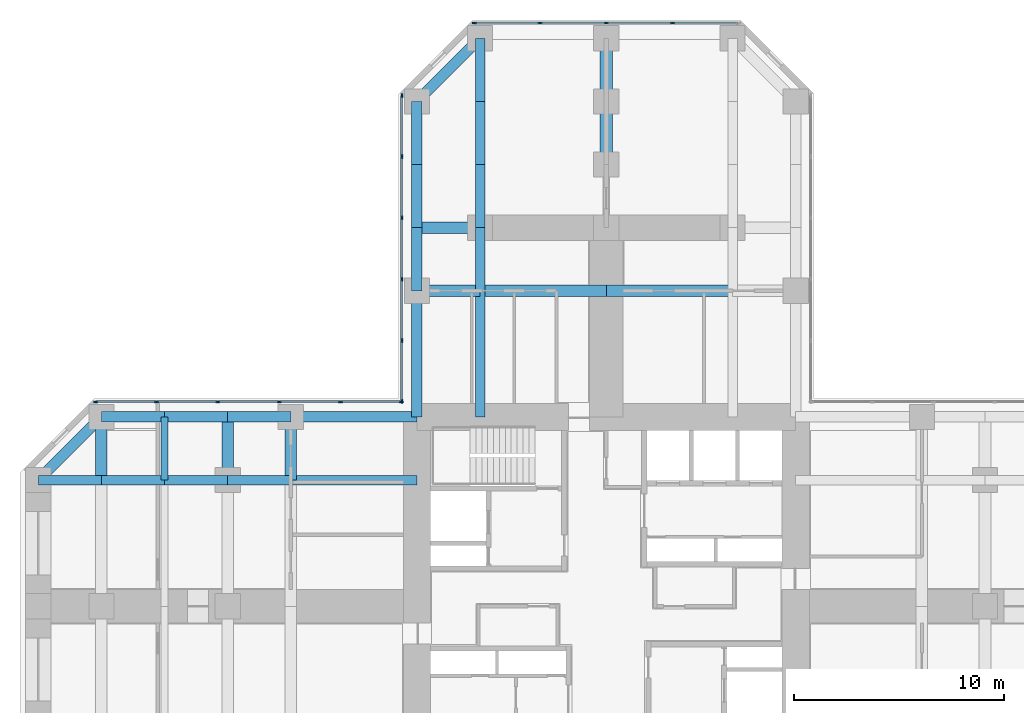
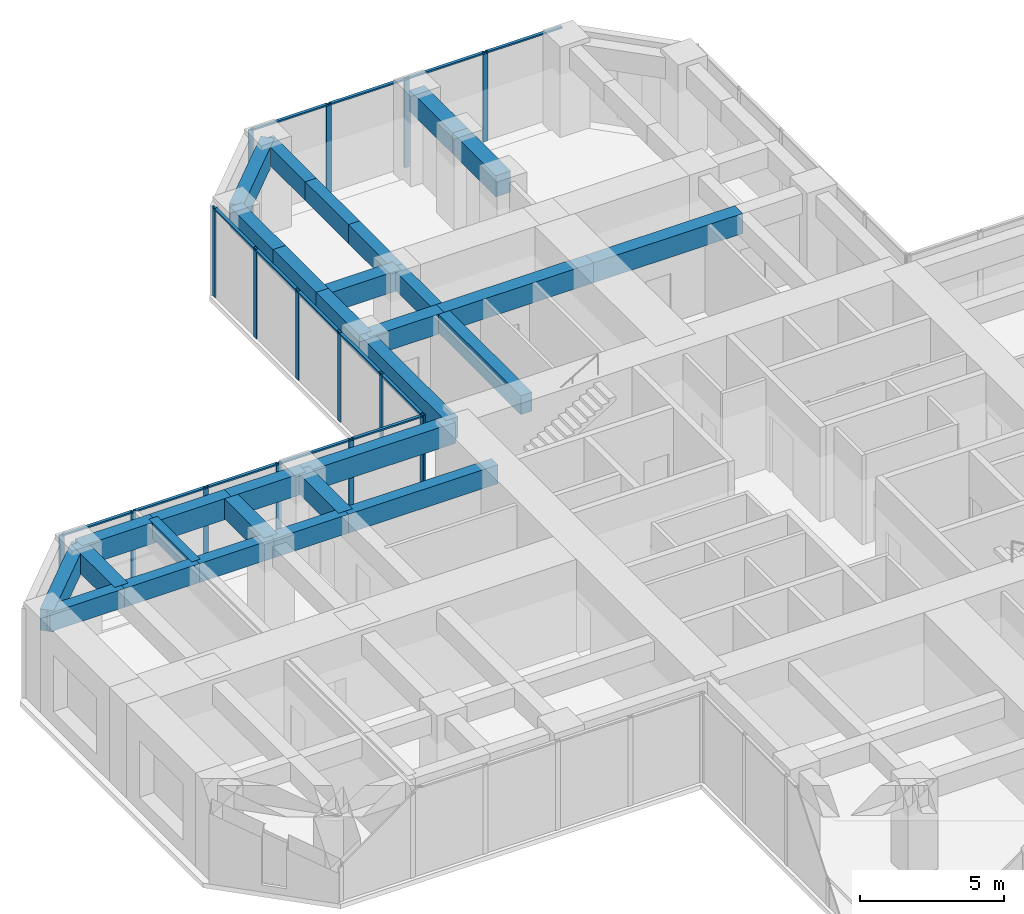
# One storey, part 5 of 13: 30 beams, 30 members, 3 elements without a shape of their own.
"""IFC4 building model written with IfcOpenShell, lengths in metres."""

from ifc_helpers import new_model, si_unit, direction, frame, origin, origin_2d, place, context, subcontext, project, spatial, rectangle, extrude, material, material_profile, profile_set, type_object, element, aggregate, save


model = new_model("IFC4")

# Units and contexts
model_context = context("Model", 3, precision=1e-05, world=origin(), true_north=direction((0.0, 1.0)))
body_context = subcontext(model_context, "Body", "Model", "MODEL_VIEW")
ifc_project = project(units=[si_unit("LENGTHUNIT", "METRE"), si_unit("AREAUNIT", "SQUARE_METRE"), si_unit("VOLUMEUNIT", "CUBIC_METRE"), si_unit("PLANEANGLEUNIT", "RADIAN"), si_unit("MASSUNIT", "GRAM", prefix="KILO")], contexts=[model_context])

# Site, building, storey
site_placement = place(None, origin())
site = spatial("IfcSite", under=ifc_project, at=site_placement, CompositionType="ELEMENT")
building_placement = place(site_placement, origin())
building = spatial("IfcBuilding", under=site, at=building_placement, Name="Torre Cruceta", CompositionType="ELEMENT")
storey_placement = place(building_placement, frame((0.0, 0.0, 31.5)))
storey = spatial("IfcBuildingStorey", under=building, at=storey_placement, Name="L07", CompositionType="ELEMENT", Elevation=31.5)

# Beams
ifc_material_1 = material(Name="Concrete G60 (fck 60 MPa)", Category="concrete")
ifc_material_profile_1 = material_profile(ifc_material_1, rectangle(XDim=0.60009765625, YDim=0.89990234375, at=origin_2d()), Name="RC 600X900")
ifc_profile_set_1 = profile_set([ifc_material_profile_1], Name="Concrete G60 (fck 60 MPa)")
beam_type_1 = type_object("IfcBeamType", Name="ARM CENTRE BEAM RC 600X900", PredefinedType="BEAM", material=ifc_profile_set_1)
for number, where, z_axis, x_axis, name in (
    (1, (0.0, 21.0, 3.35009765625), (0.0, 1.0, 0.0), (-1.0, 0.0, 0.0), "MB3 L07 N centre 1"),
    (2, (0.0, 24.0, 3.35009765625), (0.0, 1.0, 0.0), (-1.0, 0.0, 0.0), "MB3 L07 N centre 2"),
):
    element("IfcBeam", number, at=place(storey_placement, frame(where, z_axis=z_axis, x_axis=x_axis)), inside=storey, type_object=beam_type_1, Name=name, PredefinedType="BEAM", context=body_context, shape_type="SweptSolid", body=[
        extrude(rectangle(XDim=0.60009765625, YDim=0.89990234375, at=origin_2d()), origin(), (0.0, 0.0, 1.0), 3.0),
    ])
ifc_material_2 = material(Name="Concrete G60 (fck 60 MPa)", Category="concrete")
ifc_material_profile_2 = material_profile(ifc_material_2, rectangle(XDim=0.449951171875, YDim=0.800048828125, at=origin_2d()), Name="RC 450X800")
ifc_profile_set_2 = profile_set([ifc_material_profile_2], Name="Concrete G60 (fck 60 MPa)")
beam_type_2 = type_object("IfcBeamType", Name="COLUMN LINE BEAM RC 450X800", PredefinedType="BEAM", material=ifc_profile_set_2)
beam_1_placement = place(storey_placement, frame((-6.0, 9.0, 3.39990234375), z_axis=(0.0, 1.0, 0.0), x_axis=(-1.0, 0.0, 0.0)))
element("IfcBeam", 3, at=beam_1_placement, inside=storey, type_object=beam_type_2, Name="LB1 L07 N col+ 1", PredefinedType="BEAM", context=body_context, shape_type="SweptSolid", body=[
    extrude(rectangle(XDim=0.449951171875, YDim=0.800048828125, at=origin_2d()), origin(), (0.0, 0.0, 1.0), 6.0),
])
for number, where, z_axis, x_axis, name in (
    (4, (-6.0, 15.0, 3.39990234375), (0.0, 1.0, 0.0), (-1.0, 0.0, 0.0), "LB1 L07 N col+ 2"),
    (5, (-6.0, 18.0, 3.39990234375), (0.0, 1.0, 0.0), (-1.0, 0.0, 0.0), "LB1 L07 N col+ 3"),
    (6, (-6.0, 21.0, 3.39990234375), (0.0, 1.0, 0.0), (-1.0, 0.0, 0.0), "LB1 L07 N col+ 4"),
    (7, (-6.0, 24.0, 3.39990234375), (0.0, 1.0, 0.0), (-1.0, 0.0, 0.0), "LB1 L07 N col+ 5"),
):
    element("IfcBeam", number, at=place(storey_placement, frame(where, z_axis=z_axis, x_axis=x_axis)), inside=storey, type_object=beam_type_2, Name=name, PredefinedType="BEAM", context=body_context, shape_type="SweptSolid", body=[
        extrude(rectangle(XDim=0.449951171875, YDim=0.800048828125, at=origin_2d()), origin(), (0.0, 0.0, 1.0), 3.0),
    ])
beam_2_placement = place(storey_placement, frame((-9.0, 6.0, 3.39990234375), z_axis=(-1.0, 0.0, 0.0), x_axis=(0.0, -1.0, 0.0)))
element("IfcBeam", 8, at=beam_2_placement, inside=storey, type_object=beam_type_2, Name="LB1 L07 W col- 1", PredefinedType="BEAM", context=body_context, shape_type="SweptSolid", body=[
    extrude(rectangle(XDim=0.449951171875, YDim=0.800048828125, at=origin_2d()), origin(), (0.0, 0.0, 1.0), 6.0),
])
for number, where, z_axis, x_axis, name in (
    (9, (-15.0, 6.0, 3.39990234375), (-1.0, 0.0, 0.0), (0.0, -1.0, 0.0), "LB1 L07 W col- 2"),
    (10, (-18.0, 6.0, 3.39990234375), (-1.0, 0.0, 0.0), (0.0, -1.0, 0.0), "LB1 L07 W col- 3"),
    (11, (-21.0, 6.0, 3.39990234375), (-1.0, 0.0, 0.0), (0.0, -1.0, 0.0), "LB1 L07 W col- 4"),
    (12, (-24.0, 6.0, 3.39990234375), (-1.0, 0.0, 0.0), (0.0, -1.0, 0.0), "LB1 L07 W col- 5"),
):
    element("IfcBeam", number, at=place(storey_placement, frame(where, z_axis=z_axis, x_axis=x_axis)), inside=storey, type_object=beam_type_2, Name=name, PredefinedType="BEAM", context=body_context, shape_type="SweptSolid", body=[
        extrude(rectangle(XDim=0.449951171875, YDim=0.800048828125, at=origin_2d()), origin(), (0.0, 0.0, 1.0), 3.0),
    ])
ifc_material_3 = material(Name="Concrete G60 (fck 60 MPa)", Category="concrete")
ifc_material_profile_3 = material_profile(ifc_material_3, rectangle(XDim=0.550048828125, YDim=0.85009765625, at=origin_2d()), Name="RC 550X850")
ifc_profile_set_3 = profile_set([ifc_material_profile_3], Name="Concrete G60 (fck 60 MPa)")
beam_type_3 = type_object("IfcBeamType", Name="CROSS BEAM RC 550X850", PredefinedType="BEAM", material=ifc_profile_set_3)
for number, where, z_axis, x_axis, name in (
    (13, (6.0, 15.0, 3.375), (-1.0, 0.0, 0.0), (0.0, -1.0, 0.0), "GB4 L07 N cross15 2"),
    (14, (0.0, 15.0, 3.375), (-1.0, 0.0, 0.0), (0.0, -1.0, 0.0), "GB4 L07 N cross15 3"),
):
    element("IfcBeam", number, at=place(storey_placement, frame(where, z_axis=z_axis, x_axis=x_axis)), inside=storey, type_object=beam_type_3, Name=name, PredefinedType="BEAM", context=body_context, shape_type="SweptSolid", body=[
        extrude(rectangle(XDim=0.550048828125, YDim=0.85009765625, at=origin_2d()), origin(), (0.0, 0.0, 1.0), 6.0),
    ])
for number, where, z_axis, x_axis, name in (
    (15, (-6.0, 15.0, 3.375), (-1.0, 0.0, 0.0), (0.0, -1.0, 0.0), "GB4 L07 N cross15 4"),
    (16, (-6.0, 18.0, 3.375), (-1.0, 0.0, 0.0), (0.0, -1.0, 0.0), "GB4 L07 N cross18b 1"),
    (17, (-15.0, 9.0, 3.375), (0.0, -1.0, 0.0), (1.0, 0.0, 0.0), "GB4 L07 W cross15 1"),
    (18, (-18.0, 9.0, 3.375), (0.0, -1.0, 0.0), (1.0, 0.0, 0.0), "GB4 L07 W cross18 1"),
    (19, (-24.0, 9.0, 3.375), (0.0, -1.0, 0.0), (1.0, 0.0, 0.0), "GB4 L07 W cross24 1"),
):
    element("IfcBeam", number, at=place(storey_placement, frame(where, z_axis=z_axis, x_axis=x_axis)), inside=storey, type_object=beam_type_3, Name=name, PredefinedType="BEAM", context=body_context, shape_type="SweptSolid", body=[
        extrude(rectangle(XDim=0.550048828125, YDim=0.85009765625, at=origin_2d()), origin(), (0.0, 0.0, 1.0), 3.0),
    ])

# Curtain wall, members
ifc_material_4 = material(Name="Aluminium unitised curtain wall", Category="aluminium")
curtain_wall_type = type_object("IfcCurtainWallType", Name="CURTAIN WALL CW-A OFFICE LOW RISE", PredefinedType="USERDEFINED", material=ifc_material_4)
curtain_wall_1_placement = place(storey_placement, origin())
curtain_wall_1 = element("IfcCurtainWall", 20, at=curtain_wall_1_placement, inside=storey, type_object=curtain_wall_type, Name="CW-A L07 N tip 07", ObjectType="UNITISED", PredefinedType="USERDEFINED")
ifc_material_5 = material(Name="Aluminium mullion", Category="aluminium")
ifc_material_profile_4 = material_profile(ifc_material_5, rectangle(XDim=0.06494140625, YDim=0.199951171875, at=origin_2d()), Name="AL 65X200")
ifc_profile_set_4 = profile_set([ifc_material_profile_4], Name="Aluminium mullion")
member_type_1 = type_object("IfcMemberType", Name="CW-A MULLION 65X200", PredefinedType="MULLION", material=ifc_profile_set_4)
member_1_placement = place(storey_placement, frame((3.149169921875, 27.719970703125, 0.0), z_axis=(0.0, 0.0, 1.0), x_axis=(0.0, -1.0, 0.0)))
member_1 = element("IfcMember", 21, at=member_1_placement, type_object=member_type_1, Name="CW-A mullion 2", PredefinedType="MULLION", context=body_context, shape_type="SweptSolid", body=[
    extrude(rectangle(XDim=0.06494140625, YDim=0.199951171875, at=origin_2d()), origin(), (0.0, 0.0, 1.0), 3.800048828125),
])
member_2_placement = place(storey_placement, frame((0.0, 27.719970703125, 0.0), z_axis=(0.0, 0.0, 1.0), x_axis=(0.0, -1.0, 0.0)))
member_2 = element("IfcMember", 22, at=member_2_placement, type_object=member_type_1, Name="CW-A mullion 3", PredefinedType="MULLION", context=body_context, shape_type="SweptSolid", body=[
    extrude(rectangle(XDim=0.06494140625, YDim=0.199951171875, at=origin_2d()), origin(), (0.0, 0.0, 1.0), 3.800048828125),
])
member_3_placement = place(storey_placement, frame((-3.149169921875, 27.719970703125, 0.0), z_axis=(0.0, 0.0, 1.0), x_axis=(0.0, -1.0, 0.0)))
member_3 = element("IfcMember", 23, at=member_3_placement, type_object=member_type_1, Name="CW-A mullion 4", PredefinedType="MULLION", context=body_context, shape_type="SweptSolid", body=[
    extrude(rectangle(XDim=0.06494140625, YDim=0.199951171875, at=origin_2d()), origin(), (0.0, 0.0, 1.0), 3.800048828125),
])
member_4_placement = place(storey_placement, frame((-6.265625, 27.719970703125, 0.0), z_axis=(0.0, 0.0, 1.0), x_axis=(0.0, -1.0, 0.0)))
member_4 = element("IfcMember", 24, at=member_4_placement, type_object=member_type_1, Name="CW-A mullion 5", PredefinedType="MULLION", context=body_context, shape_type="SweptSolid", body=[
    extrude(rectangle(XDim=0.06494140625, YDim=0.199951171875, at=origin_2d()), origin(), (0.0, 0.0, 1.0), 3.800048828125),
])

curtain_wall_2_placement = place(storey_placement, origin())
curtain_wall_2 = element("IfcCurtainWall", 25, at=curtain_wall_2_placement, inside=storey, type_object=curtain_wall_type, Name="CW-A L07 N side 09", ObjectType="UNITISED", PredefinedType="USERDEFINED")
member_5_placement = place(storey_placement, frame((-9.719970703125, 24.265625, 0.0), z_axis=(0.0, 0.0, 1.0), x_axis=(1.0, 0.0, 0.0)))
member_5 = element("IfcMember", 26, at=member_5_placement, type_object=member_type_1, Name="CW-A mullion 1", PredefinedType="MULLION", context=body_context, shape_type="SweptSolid", body=[
    extrude(rectangle(XDim=0.06494140625, YDim=0.199951171875, at=origin_2d()), origin(), (0.0, 0.0, 1.0), 3.800048828125),
])
member_6_placement = place(storey_placement, frame((-9.719970703125, 21.382568359375, 0.0), z_axis=(0.0, 0.0, 1.0), x_axis=(1.0, 0.0, 0.0)))
member_6 = element("IfcMember", 27, at=member_6_placement, type_object=member_type_1, Name="CW-A mullion 2", PredefinedType="MULLION", context=body_context, shape_type="SweptSolid", body=[
    extrude(rectangle(XDim=0.06494140625, YDim=0.199951171875, at=origin_2d()), origin(), (0.0, 0.0, 1.0), 3.800048828125),
])
member_7_placement = place(storey_placement, frame((-9.719970703125, 18.467041015625, 0.0), z_axis=(0.0, 0.0, 1.0), x_axis=(1.0, 0.0, 0.0)))
member_7 = element("IfcMember", 28, at=member_7_placement, type_object=member_type_1, Name="CW-A mullion 3", PredefinedType="MULLION", context=body_context, shape_type="SweptSolid", body=[
    extrude(rectangle(XDim=0.06494140625, YDim=0.199951171875, at=origin_2d()), origin(), (0.0, 0.0, 1.0), 3.800048828125),
])
member_8_placement = place(storey_placement, frame((-9.719970703125, 15.55126953125, 0.0), z_axis=(0.0, 0.0, 1.0), x_axis=(1.0, 0.0, 0.0)))
member_8 = element("IfcMember", 29, at=member_8_placement, type_object=member_type_1, Name="CW-A mullion 4", PredefinedType="MULLION", context=body_context, shape_type="SweptSolid", body=[
    extrude(rectangle(XDim=0.06494140625, YDim=0.199951171875, at=origin_2d()), origin(), (0.0, 0.0, 1.0), 3.800048828125),
])
member_9_placement = place(storey_placement, frame((-9.719970703125, 12.6357421875, 0.0), z_axis=(0.0, 0.0, 1.0), x_axis=(1.0, 0.0, 0.0)))
member_9 = element("IfcMember", 30, at=member_9_placement, type_object=member_type_1, Name="CW-A mullion 5", PredefinedType="MULLION", context=body_context, shape_type="SweptSolid", body=[
    extrude(rectangle(XDim=0.06494140625, YDim=0.199951171875, at=origin_2d()), origin(), (0.0, 0.0, 1.0), 3.800048828125),
])
member_10_placement = place(storey_placement, frame((-9.719970703125, 9.75244140625, 0.0), z_axis=(0.0, 0.0, 1.0), x_axis=(1.0, 0.0, 0.0)))
member_10 = element("IfcMember", 31, at=member_10_placement, type_object=member_type_1, Name="CW-A mullion 6", PredefinedType="MULLION", context=body_context, shape_type="SweptSolid", body=[
    extrude(rectangle(XDim=0.06494140625, YDim=0.199951171875, at=origin_2d()), origin(), (0.0, 0.0, 1.0), 3.800048828125),
])

curtain_wall_3_placement = place(storey_placement, origin())
curtain_wall_3 = element("IfcCurtainWall", 32, at=curtain_wall_3_placement, inside=storey, type_object=curtain_wall_type, Name="CW-A L07 W side 10", ObjectType="UNITISED", PredefinedType="USERDEFINED")
member_11_placement = place(storey_placement, frame((-9.75244140625, 9.719970703125, 0.0), z_axis=(0.0, 0.0, 1.0), x_axis=(0.0, -1.0, 0.0)))
member_11 = element("IfcMember", 33, at=member_11_placement, type_object=member_type_1, Name="CW-A mullion 1", PredefinedType="MULLION", context=body_context, shape_type="SweptSolid", body=[
    extrude(rectangle(XDim=0.06494140625, YDim=0.199951171875, at=origin_2d()), origin(), (0.0, 0.0, 1.0), 3.800048828125),
])
member_12_placement = place(storey_placement, frame((-12.6357421875, 9.719970703125, 0.0), z_axis=(0.0, 0.0, 1.0), x_axis=(0.0, -1.0, 0.0)))
member_12 = element("IfcMember", 34, at=member_12_placement, type_object=member_type_1, Name="CW-A mullion 2", PredefinedType="MULLION", context=body_context, shape_type="SweptSolid", body=[
    extrude(rectangle(XDim=0.06494140625, YDim=0.199951171875, at=origin_2d()), origin(), (0.0, 0.0, 1.0), 3.800048828125),
])
member_13_placement = place(storey_placement, frame((-15.55126953125, 9.719970703125, 0.0), z_axis=(0.0, 0.0, 1.0), x_axis=(0.0, -1.0, 0.0)))
member_13 = element("IfcMember", 35, at=member_13_placement, type_object=member_type_1, Name="CW-A mullion 3", PredefinedType="MULLION", context=body_context, shape_type="SweptSolid", body=[
    extrude(rectangle(XDim=0.06494140625, YDim=0.199951171875, at=origin_2d()), origin(), (0.0, 0.0, 1.0), 3.800048828125),
])
member_14_placement = place(storey_placement, frame((-18.467041015625, 9.719970703125, 0.0), z_axis=(0.0, 0.0, 1.0), x_axis=(0.0, -1.0, 0.0)))
member_14 = element("IfcMember", 36, at=member_14_placement, type_object=member_type_1, Name="CW-A mullion 4", PredefinedType="MULLION", context=body_context, shape_type="SweptSolid", body=[
    extrude(rectangle(XDim=0.06494140625, YDim=0.199951171875, at=origin_2d()), origin(), (0.0, 0.0, 1.0), 3.800048828125),
])
member_15_placement = place(storey_placement, frame((-21.382568359375, 9.719970703125, 0.0), z_axis=(0.0, 0.0, 1.0), x_axis=(0.0, -1.0, 0.0)))
member_15 = element("IfcMember", 37, at=member_15_placement, type_object=member_type_1, Name="CW-A mullion 5", PredefinedType="MULLION", context=body_context, shape_type="SweptSolid", body=[
    extrude(rectangle(XDim=0.06494140625, YDim=0.199951171875, at=origin_2d()), origin(), (0.0, 0.0, 1.0), 3.800048828125),
])
member_16_placement = place(storey_placement, frame((-24.265625, 9.719970703125, 0.0), z_axis=(0.0, 0.0, 1.0), x_axis=(0.0, -1.0, 0.0)))
member_16 = element("IfcMember", 38, at=member_16_placement, type_object=member_type_1, Name="CW-A mullion 6", PredefinedType="MULLION", context=body_context, shape_type="SweptSolid", body=[
    extrude(rectangle(XDim=0.06494140625, YDim=0.199951171875, at=origin_2d()), origin(), (0.0, 0.0, 1.0), 3.800048828125),
])

# Member
ifc_material_6 = material(Name="Aluminium transom", Category="aluminium")
ifc_material_profile_5 = material_profile(ifc_material_6, rectangle(XDim=0.1201171875, YDim=0.06494140625, at=origin_2d()), Name="AL 120X65")
ifc_profile_set_5 = profile_set([ifc_material_profile_5], Name="Aluminium transom")
member_type_2 = type_object("IfcMemberType", Name="CW-A TRANSOM 65X120", PredefinedType="USERDEFINED", material=ifc_profile_set_5)
member_17_placement = place(storey_placement, frame((6.233154296875, 27.719970703125, 3.767578125), z_axis=(-1.0, 0.0, 0.0), x_axis=(0.0, -1.0, 0.0)))
member_17 = element("IfcMember", 39, at=member_17_placement, type_object=member_type_2, Name="CW-A transom 1", ObjectType="TRANSOM", PredefinedType="USERDEFINED", context=body_context, shape_type="SweptSolid", body=[
    extrude(rectangle(XDim=0.1201171875, YDim=0.06494140625, at=origin_2d()), origin(), (0.0, 0.0, 1.0), 3.051513671875),
])

member_18_placement = place(storey_placement, frame((3.11669921875, 27.719970703125, 3.767578125), z_axis=(-1.0, 0.0, 0.0), x_axis=(0.0, -1.0, 0.0)))
member_18 = element("IfcMember", 40, at=member_18_placement, type_object=member_type_2, Name="CW-A transom 2", ObjectType="TRANSOM", PredefinedType="USERDEFINED", context=body_context, shape_type="SweptSolid", body=[
    extrude(rectangle(XDim=0.1201171875, YDim=0.06494140625, at=origin_2d()), origin(), (0.0, 0.0, 1.0), 3.084228515625),
])

member_19_placement = place(storey_placement, frame((-0.032470703125, 27.719970703125, 3.767578125), z_axis=(-1.0, 0.0, 0.0), x_axis=(0.0, -1.0, 0.0)))
member_19 = element("IfcMember", 41, at=member_19_placement, type_object=member_type_2, Name="CW-A transom 3", ObjectType="TRANSOM", PredefinedType="USERDEFINED", context=body_context, shape_type="SweptSolid", body=[
    extrude(rectangle(XDim=0.1201171875, YDim=0.06494140625, at=origin_2d()), origin(), (0.0, 0.0, 1.0), 3.084228515625),
])

member_20_placement = place(storey_placement, frame((-3.181640625, 27.719970703125, 3.767578125), z_axis=(-1.0, 0.0, 0.0), x_axis=(0.0, -1.0, 0.0)))
member_20 = element("IfcMember", 42, at=member_20_placement, type_object=member_type_2, Name="CW-A transom 4", ObjectType="TRANSOM", PredefinedType="USERDEFINED", context=body_context, shape_type="SweptSolid", body=[
    extrude(rectangle(XDim=0.1201171875, YDim=0.06494140625, at=origin_2d()), origin(), (0.0, 0.0, 1.0), 3.051513671875),
])

aggregate(curtain_wall_1, [member_1, member_2, member_3, member_4, member_17, member_18, member_19, member_20])

member_21_placement = place(storey_placement, frame((-9.719970703125, 24.233154296875, 3.767578125), z_axis=(0.0, -1.0, 0.0), x_axis=(1.0, 0.0, 0.0)))
member_21 = element("IfcMember", 43, at=member_21_placement, type_object=member_type_2, Name="CW-A transom 1", ObjectType="TRANSOM", PredefinedType="USERDEFINED", context=body_context, shape_type="SweptSolid", body=[
    extrude(rectangle(XDim=0.1201171875, YDim=0.06494140625, at=origin_2d()), origin(), (0.0, 0.0, 1.0), 2.818115234375),
])

member_22_placement = place(storey_placement, frame((-9.719970703125, 21.35009765625, 3.767578125), z_axis=(0.0, -1.0, 0.0), x_axis=(1.0, 0.0, 0.0)))
member_22 = element("IfcMember", 44, at=member_22_placement, type_object=member_type_2, Name="CW-A transom 2", ObjectType="TRANSOM", PredefinedType="USERDEFINED", context=body_context, shape_type="SweptSolid", body=[
    extrude(rectangle(XDim=0.1201171875, YDim=0.06494140625, at=origin_2d()), origin(), (0.0, 0.0, 1.0), 2.8505859375),
])

member_23_placement = place(storey_placement, frame((-9.719970703125, 18.434326171875, 3.767578125), z_axis=(0.0, -1.0, 0.0), x_axis=(1.0, 0.0, 0.0)))
member_23 = element("IfcMember", 45, at=member_23_placement, type_object=member_type_2, Name="CW-A transom 3", ObjectType="TRANSOM", PredefinedType="USERDEFINED", context=body_context, shape_type="SweptSolid", body=[
    extrude(rectangle(XDim=0.1201171875, YDim=0.06494140625, at=origin_2d()), origin(), (0.0, 0.0, 1.0), 2.8505859375),
])

member_24_placement = place(storey_placement, frame((-9.719970703125, 15.518798828125, 3.767578125), z_axis=(0.0, -1.0, 0.0), x_axis=(1.0, 0.0, 0.0)))
member_24 = element("IfcMember", 46, at=member_24_placement, type_object=member_type_2, Name="CW-A transom 4", ObjectType="TRANSOM", PredefinedType="USERDEFINED", context=body_context, shape_type="SweptSolid", body=[
    extrude(rectangle(XDim=0.1201171875, YDim=0.06494140625, at=origin_2d()), origin(), (0.0, 0.0, 1.0), 2.8505859375),
])

member_25_placement = place(storey_placement, frame((-9.719970703125, 12.60302734375, 3.767578125), z_axis=(0.0, -1.0, 0.0), x_axis=(1.0, 0.0, 0.0)))
member_25 = element("IfcMember", 47, at=member_25_placement, type_object=member_type_2, Name="CW-A transom 5", ObjectType="TRANSOM", PredefinedType="USERDEFINED", context=body_context, shape_type="SweptSolid", body=[
    extrude(rectangle(XDim=0.1201171875, YDim=0.06494140625, at=origin_2d()), origin(), (0.0, 0.0, 1.0), 2.818115234375),
])

aggregate(curtain_wall_2, [member_5, member_6, member_7, member_8, member_9, member_10, member_21, member_22, member_23, member_24, member_25])

member_26_placement = place(storey_placement, frame((-9.784912109375, 9.719970703125, 3.767578125), z_axis=(-1.0, 0.0, 0.0), x_axis=(0.0, -1.0, 0.0)))
member_26 = element("IfcMember", 48, at=member_26_placement, type_object=member_type_2, Name="CW-A transom 1", ObjectType="TRANSOM", PredefinedType="USERDEFINED", context=body_context, shape_type="SweptSolid", body=[
    extrude(rectangle(XDim=0.1201171875, YDim=0.06494140625, at=origin_2d()), origin(), (0.0, 0.0, 1.0), 2.818115234375),
])

member_27_placement = place(storey_placement, frame((-12.668212890625, 9.719970703125, 3.767578125), z_axis=(-1.0, 0.0, 0.0), x_axis=(0.0, -1.0, 0.0)))
member_27 = element("IfcMember", 49, at=member_27_placement, type_object=member_type_2, Name="CW-A transom 2", ObjectType="TRANSOM", PredefinedType="USERDEFINED", context=body_context, shape_type="SweptSolid", body=[
    extrude(rectangle(XDim=0.1201171875, YDim=0.06494140625, at=origin_2d()), origin(), (0.0, 0.0, 1.0), 2.8505859375),
])

member_28_placement = place(storey_placement, frame((-15.583740234375, 9.719970703125, 3.767578125), z_axis=(-1.0, 0.0, 0.0), x_axis=(0.0, -1.0, 0.0)))
member_28 = element("IfcMember", 50, at=member_28_placement, type_object=member_type_2, Name="CW-A transom 3", ObjectType="TRANSOM", PredefinedType="USERDEFINED", context=body_context, shape_type="SweptSolid", body=[
    extrude(rectangle(XDim=0.1201171875, YDim=0.06494140625, at=origin_2d()), origin(), (0.0, 0.0, 1.0), 2.8505859375),
])

member_29_placement = place(storey_placement, frame((-18.49951171875, 9.719970703125, 3.767578125), z_axis=(-1.0, 0.0, 0.0), x_axis=(0.0, -1.0, 0.0)))
member_29 = element("IfcMember", 51, at=member_29_placement, type_object=member_type_2, Name="CW-A transom 4", ObjectType="TRANSOM", PredefinedType="USERDEFINED", context=body_context, shape_type="SweptSolid", body=[
    extrude(rectangle(XDim=0.1201171875, YDim=0.06494140625, at=origin_2d()), origin(), (0.0, 0.0, 1.0), 2.8505859375),
])

member_30_placement = place(storey_placement, frame((-21.4150390625, 9.719970703125, 3.767578125), z_axis=(-1.0, 0.0, 0.0), x_axis=(0.0, -1.0, 0.0)))
member_30 = element("IfcMember", 52, at=member_30_placement, type_object=member_type_2, Name="CW-A transom 5", ObjectType="TRANSOM", PredefinedType="USERDEFINED", context=body_context, shape_type="SweptSolid", body=[
    extrude(rectangle(XDim=0.1201171875, YDim=0.06494140625, at=origin_2d()), origin(), (0.0, 0.0, 1.0), 2.818115234375),
])

aggregate(curtain_wall_3, [member_11, member_12, member_13, member_14, member_15, member_16, member_26, member_27, member_28, member_29, member_30])

# Beams
ifc_material_7 = material(Name="Concrete G60 (fck 60 MPa)", Category="concrete")
ifc_material_profile_6 = material_profile(ifc_material_7, rectangle(XDim=0.35009765625, YDim=0.64990234375, at=origin_2d()), Name="RC 350X650")
ifc_profile_set_6 = profile_set([ifc_material_profile_6], Name="Concrete G60 (fck 60 MPa)")
beam_type_4 = type_object("IfcBeamType", Name="SECONDARY BEAM RC 350X650", PredefinedType="JOIST", material=ifc_profile_set_6)
beam_3_placement = place(storey_placement, frame((-21.0, 9.0, 3.47509765625), z_axis=(0.0, -1.0, 0.0), x_axis=(1.0, 0.0, 0.0)))
element("IfcBeam", 53, at=beam_3_placement, inside=storey, type_object=beam_type_4, Name="JB3 L07 W sec21 1", PredefinedType="JOIST", context=body_context, shape_type="SweptSolid", body=[
    extrude(rectangle(XDim=0.35009765625, YDim=0.64990234375, at=origin_2d()), origin(), (0.0, 0.0, 1.0), 3.0),
])
ifc_material_8 = material(Name="Concrete G60 (fck 60 MPa)", Category="concrete")
ifc_material_profile_7 = material_profile(ifc_material_8, rectangle(XDim=0.5, YDim=0.89990234375, at=origin_2d()), Name="RC 500X900")
ifc_profile_set_7 = profile_set([ifc_material_profile_7], Name="Concrete G60 (fck 60 MPa)")
beam_type_5 = type_object("IfcBeamType", Name="SPANDREL BEAM RC 500X900", PredefinedType="SPANDREL", material=ifc_profile_set_7)
beam_4_placement = place(storey_placement, frame((-9.0, 9.0, 3.35009765625), z_axis=(0.0, 1.0, 0.0), x_axis=(-1.0, 0.0, 0.0)))
element("IfcBeam", 54, at=beam_4_placement, inside=storey, type_object=beam_type_5, Name="SB4 L07 N side+ 1", PredefinedType="SPANDREL", context=body_context, shape_type="SweptSolid", body=[
    extrude(rectangle(XDim=0.5, YDim=0.89990234375, at=origin_2d()), origin(), (0.0, 0.0, 1.0), 6.0),
])
for number, where, z_axis, x_axis, name in (
    (55, (-9.0, 15.0, 3.35009765625), (0.0, 1.0, 0.0), (-1.0, 0.0, 0.0), "SB4 L07 N side+ 2"),
    (56, (-9.0, 18.0, 3.35009765625), (0.0, 1.0, 0.0), (-1.0, 0.0, 0.0), "SB4 L07 N side+ 3"),
    (57, (-9.0, 21.0, 3.35009765625), (0.0, 1.0, 0.0), (-1.0, 0.0, 0.0), "SB4 L07 N side+ 4"),
):
    element("IfcBeam", number, at=place(storey_placement, frame(where, z_axis=z_axis, x_axis=x_axis)), inside=storey, type_object=beam_type_5, Name=name, PredefinedType="SPANDREL", context=body_context, shape_type="SweptSolid", body=[
        extrude(rectangle(XDim=0.5, YDim=0.89990234375, at=origin_2d()), origin(), (0.0, 0.0, 1.0), 3.0),
    ])
beam_5_placement = place(storey_placement, frame((-9.0, 24.0, 3.35009765625), z_axis=(0.707106781187, 0.707106781187, 0.0), x_axis=(-0.707106781187, 0.707106781187, 0.0)))
element("IfcBeam", 58, at=beam_5_placement, inside=storey, type_object=beam_type_5, Name="SB4 L07 N side+ 5", PredefinedType="SPANDREL", context=body_context, shape_type="SweptSolid", body=[
    extrude(rectangle(XDim=0.5, YDim=0.89990234375, at=origin_2d()), origin(), (0.0, 0.0, 1.0), 4.24267578125),
])
beam_6_placement = place(storey_placement, frame((-9.0, 9.0, 3.35009765625), z_axis=(-1.0, 0.0, 0.0), x_axis=(0.0, -1.0, 0.0)))
element("IfcBeam", 59, at=beam_6_placement, inside=storey, type_object=beam_type_5, Name="SB4 L07 W side- 1", PredefinedType="SPANDREL", context=body_context, shape_type="SweptSolid", body=[
    extrude(rectangle(XDim=0.5, YDim=0.89990234375, at=origin_2d()), origin(), (0.0, 0.0, 1.0), 6.0),
])
for number, where, z_axis, x_axis, name in (
    (60, (-15.0, 9.0, 3.35009765625), (-1.0, 0.0, 0.0), (0.0, -1.0, 0.0), "SB4 L07 W side- 2"),
    (61, (-18.0, 9.0, 3.35009765625), (-1.0, 0.0, 0.0), (0.0, -1.0, 0.0), "SB4 L07 W side- 3"),
    (62, (-21.0, 9.0, 3.35009765625), (-1.0, 0.0, 0.0), (0.0, -1.0, 0.0), "SB4 L07 W side- 4"),
):
    element("IfcBeam", number, at=place(storey_placement, frame(where, z_axis=z_axis, x_axis=x_axis)), inside=storey, type_object=beam_type_5, Name=name, PredefinedType="SPANDREL", context=body_context, shape_type="SweptSolid", body=[
        extrude(rectangle(XDim=0.5, YDim=0.89990234375, at=origin_2d()), origin(), (0.0, 0.0, 1.0), 3.0),
    ])
beam_7_placement = place(storey_placement, frame((-24.0, 9.0, 3.35009765625), z_axis=(-0.707106781187, -0.707106781187, 0.0), x_axis=(0.707106781187, -0.707106781187, 0.0)))
element("IfcBeam", 63, at=beam_7_placement, inside=storey, type_object=beam_type_5, Name="SB4 L07 W side- 5", PredefinedType="SPANDREL", context=body_context, shape_type="SweptSolid", body=[
    extrude(rectangle(XDim=0.5, YDim=0.89990234375, at=origin_2d()), origin(), (0.0, 0.0, 1.0), 4.24267578125),
])

save(model, "model.ifc")
